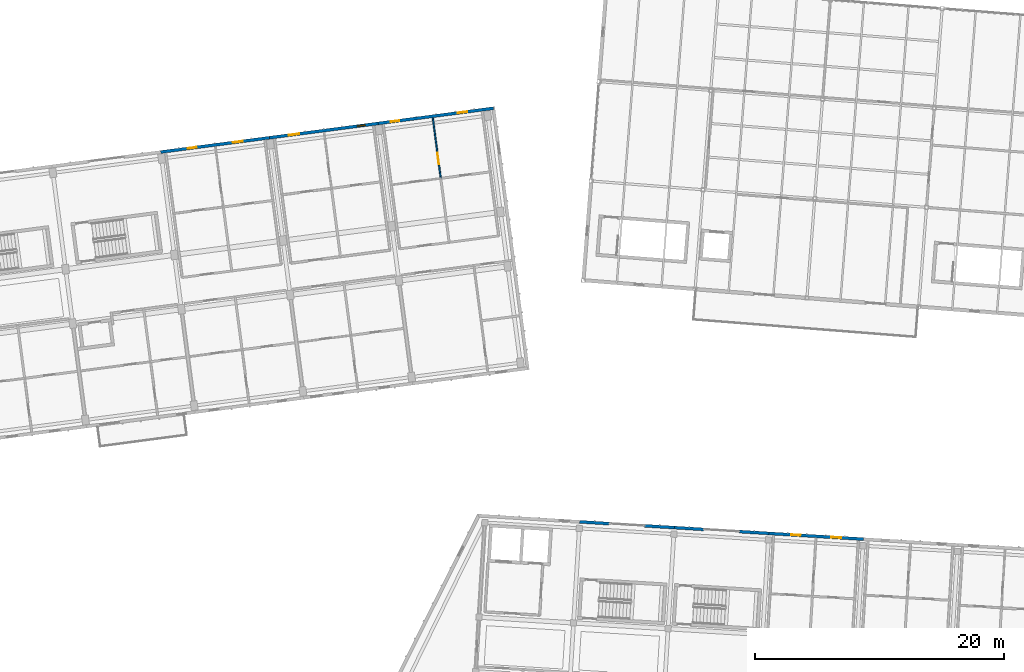
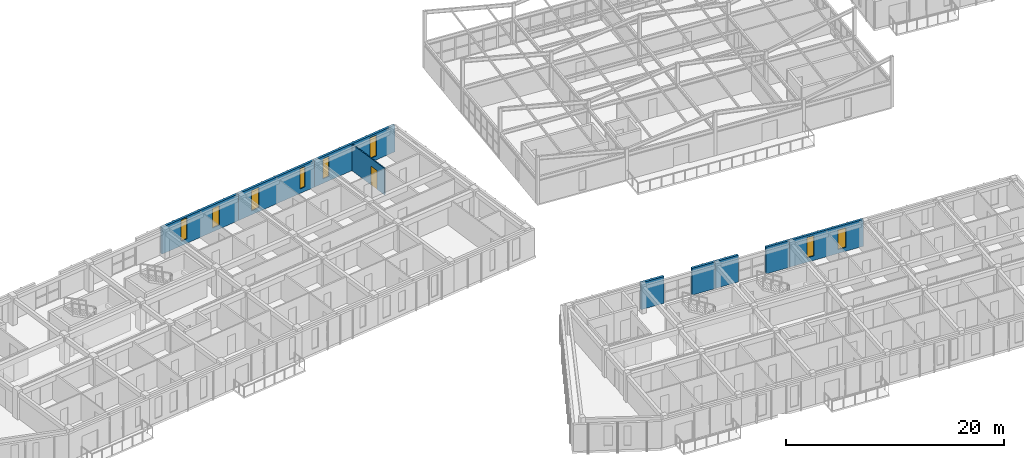
# One storey, part 83 of 127: 9 walls, 8 windows, 1 door, 9 openings.
"""IFC4 building model written with IfcOpenShell, lengths in metres."""

from ifc_helpers import new_model, si_unit, direction, frame, frame_2d, origin, place, context, subcontext, project, spatial, rectangle, extrude, material, layer, layer_set, type_object, element, fill, save


model = new_model("IFC4")

# Units and contexts
model_context = context("Model", 3, precision=1e-05, world=origin(), true_north=direction((0.0, 1.0)))
body_context = subcontext(model_context, "Body", "Model", "MODEL_VIEW")
ifc_project = project(units=[si_unit("LENGTHUNIT", "METRE"), si_unit("AREAUNIT", "SQUARE_METRE"), si_unit("VOLUMEUNIT", "CUBIC_METRE"), si_unit("PLANEANGLEUNIT", "RADIAN"), si_unit("MASSUNIT", "GRAM", prefix="KILO")], contexts=[model_context])

# Site, building, storey
site_placement = place(None, origin())
site = spatial("IfcSite", under=ifc_project, at=site_placement, CompositionType="ELEMENT")
building_placement = place(site_placement, origin())
building = spatial("IfcBuilding", under=site, at=building_placement, Name="Kestramere Prow Commons", CompositionType="ELEMENT")
storey_placement = place(building_placement, frame((0.0, 0.0, 8.39990234375)))
storey = spatial("IfcBuildingStorey", under=building, at=storey_placement, Name="L02", CompositionType="ELEMENT", Elevation=8.39990234375)

# Wall, openings, windows
ifc_material_1 = material(Name="Fluoropolymer Standing-Seam Zinc-Aluminium Cladding", Category="aluminium")
ifc_layer_1 = layer(ifc_material_1, 0.239990234375)
ifc_layer_set_1 = layer_set([ifc_layer_1], Name="Fluoropolymer Standing-Seam Zinc-Aluminium Cladding")
wall_type_1 = type_object("IfcWallType", Name="EW-SEAM-240", PredefinedType="SOLIDWALL", material=ifc_layer_set_1)
wall_1_placement = place(storey_placement, frame((34.695068359375, 95.79541015625, 0.0), z_axis=(0.0, 0.0, 1.0), x_axis=(0.991447967712, 0.130502595073, 0.0)))
wall_1 = element("IfcWall", 1, at=wall_1_placement, inside=storey, type_object=wall_type_1, Name="Block A L02 North Standing-Seam Wall 4", PredefinedType="SOLIDWALL", context=body_context, shape_type="SweptSolid", body=[
    extrude(rectangle(XDim=8.800048828125, YDim=0.239990234375, at=frame_2d((4.39990234375, 0.0))), origin(), (0.0, 0.0, 1.0), 3.0),
])
opening_1_placement = place(wall_1_placement, frame((2.1943359375, 0.0, 0.5)))
opening_1 = element("IfcOpeningElement", 2, at=opening_1_placement, cuts=wall_1, Name="Opening WN-07", PredefinedType="OPENING", context=body_context, shape_type="SweptSolid", body=[
    extrude(rectangle(XDim=0.699951171875, YDim=2.360107421875, at=frame_2d((0.35009765625, 1.18017578125))), frame((0.0, 0.135009765625, 0.0), z_axis=(0.0, -1.0, 0.0), x_axis=(1.0, 0.0, 0.0)), (0.0, 0.0, 1.0), 0.27001953125),
])
opening_2_placement = place(wall_1_placement, frame((5.848876953125, 0.0, 0.43994140625)))
opening_2 = element("IfcOpeningElement", 3, at=opening_2_placement, cuts=wall_1, Name="Opening WN-11", PredefinedType="OPENING", context=body_context, shape_type="SweptSolid", body=[
    extrude(rectangle(XDim=0.780029296875, YDim=2.199951171875, at=frame_2d((0.39013671875, 1.10009765625))), frame((0.0, 0.135009765625, 0.0), z_axis=(0.0, -1.0, 0.0), x_axis=(1.0, 0.0, 0.0)), (0.0, 0.0, 1.0), 0.27001953125),
])
ifc_material_2 = material(Name="Low-E Laminated Double Glazing", Category="glass")
window_type_1 = type_object("IfcWindowType", Name="WN-NAR-700A", PartitioningType="SINGLE_PANEL", PredefinedType="WINDOW", material=ifc_material_2)
window_1_placement = place(opening_1_placement, origin())
window_1 = element("IfcWindow", 4, at=window_1_placement, inside=storey, type_object=window_type_1, Name="WN-A-L02-N-3-0", OverallHeight=2.360107421875, OverallWidth=0.699951171875, PartitioningType="SINGLE_PANEL", PredefinedType="WINDOW", context=body_context, shape_type="SweptSolid", body=[
    extrude(rectangle(XDim=0.699951171875, YDim=2.360107421875, at=frame_2d((0.35009765625, 1.18017578125))), frame((0.0, 0.030029296875, 0.0), z_axis=(0.0, -1.0, 0.0), x_axis=(1.0, 0.0, 0.0)), (0.0, 0.0, 1.0), 0.06005859375),
])
fill(opening_1, window_1)
window_type_2 = type_object("IfcWindowType", Name="WN-NAR-780A", PartitioningType="SINGLE_PANEL", PredefinedType="WINDOW", material=ifc_material_2)
window_2_placement = place(opening_2_placement, origin())
window_2 = element("IfcWindow", 5, at=window_2_placement, inside=storey, type_object=window_type_2, Name="WN-A-L02-N-3-1", OverallHeight=2.199951171875, OverallWidth=0.780029296875, PartitioningType="SINGLE_PANEL", PredefinedType="WINDOW", context=body_context, shape_type="SweptSolid", body=[
    extrude(rectangle(XDim=0.780029296875, YDim=2.199951171875, at=frame_2d((0.39013671875, 1.10009765625))), frame((0.0, 0.030029296875, 0.0), z_axis=(0.0, -1.0, 0.0), x_axis=(1.0, 0.0, 0.0)), (0.0, 0.0, 1.0), 0.06005859375),
])
fill(opening_2, window_2)

wall_2_placement = place(storey_placement, frame((43.419921875, 96.94384765625, 0.0), z_axis=(0.0, 0.0, 1.0), x_axis=(0.991443905089, 0.130533455715, 0.0)))
wall_2 = element("IfcWall", 6, at=wall_2_placement, inside=storey, type_object=wall_type_1, Name="Block A L02 North Standing-Seam Wall 5", PredefinedType="SOLIDWALL", context=body_context, shape_type="SweptSolid", body=[
    extrude(rectangle(XDim=8.7998046875, YDim=0.239990234375, at=frame_2d((4.39990234375, 0.0))), origin(), (0.0, 0.0, 1.0), 3.0),
])
opening_3_placement = place(wall_2_placement, frame((1.552001953125, 0.0, 0.43994140625)))
opening_3 = element("IfcOpeningElement", 7, at=opening_3_placement, cuts=wall_2, Name="Opening WN-14", PredefinedType="OPENING", context=body_context, shape_type="SweptSolid", body=[
    extrude(rectangle(XDim=0.840087890625, YDim=2.280029296875, at=frame_2d((0.419921875, 1.14013671875))), frame((0.0, 0.135009765625, 0.0), z_axis=(0.0, -1.0, 0.0), x_axis=(1.0, 0.0, 0.0)), (0.0, 0.0, 1.0), 0.27001953125),
])
opening_4_placement = place(wall_2_placement, frame((7.11279296875, 0.0, 0.5)))
opening_4 = element("IfcOpeningElement", 8, at=opening_4_placement, cuts=wall_2, Name="Opening WN-03", PredefinedType="OPENING", context=body_context, shape_type="SweptSolid", body=[
    extrude(rectangle(XDim=0.6201171875, YDim=2.280029296875, at=frame_2d((0.31005859375, 1.14013671875))), frame((0.0, 0.135009765625, 0.0), z_axis=(0.0, -1.0, 0.0), x_axis=(1.0, 0.0, 0.0)), (0.0, 0.0, 1.0), 0.27001953125),
])
window_type_3 = type_object("IfcWindowType", Name="WN-NAR-620A", PartitioningType="SINGLE_PANEL", PredefinedType="WINDOW", material=ifc_material_2)
window_3_placement = place(opening_4_placement, origin())
window_3 = element("IfcWindow", 9, at=window_3_placement, inside=storey, type_object=window_type_3, Name="WN-A-L02-N-4-1", OverallHeight=2.280029296875, OverallWidth=0.6201171875, PartitioningType="SINGLE_PANEL", PredefinedType="WINDOW", context=body_context, shape_type="SweptSolid", body=[
    extrude(rectangle(XDim=0.6201171875, YDim=2.280029296875, at=frame_2d((0.31005859375, 1.14013671875))), frame((0.0, 0.030029296875, 0.0), z_axis=(0.0, -1.0, 0.0), x_axis=(1.0, 0.0, 0.0)), (0.0, 0.0, 1.0), 0.06005859375),
])
fill(opening_4, window_3)
window_type_4 = type_object("IfcWindowType", Name="WN-NAR-840A", PartitioningType="DOUBLE_PANEL_VERTICAL", PredefinedType="WINDOW", material=ifc_material_2)
window_4_placement = place(opening_3_placement, origin())
window_4 = element("IfcWindow", 10, at=window_4_placement, inside=storey, type_object=window_type_4, Name="WN-A-L02-N-4-0", OverallHeight=2.280029296875, OverallWidth=0.840087890625, PartitioningType="SINGLE_PANEL", PredefinedType="WINDOW", context=body_context, shape_type="SweptSolid", body=[
    extrude(rectangle(XDim=0.840087890625, YDim=2.280029296875, at=frame_2d((0.419921875, 1.14013671875))), frame((0.0, 0.030029296875, 0.0), z_axis=(0.0, -1.0, 0.0), x_axis=(1.0, 0.0, 0.0)), (0.0, 0.0, 1.0), 0.06005859375),
])
fill(opening_3, window_4)

wall_3_placement = place(storey_placement, frame((52.14453125, 98.092529296875, 0.0), z_axis=(0.0, 0.0, 1.0), x_axis=(0.991442885224, 0.130541201693, 0.0)))
wall_3 = element("IfcWall", 11, at=wall_3_placement, inside=storey, type_object=wall_type_1, Name="Block A L02 North Standing-Seam Wall 6", PredefinedType="SOLIDWALL", context=body_context, shape_type="SweptSolid", body=[
    extrude(rectangle(XDim=9.324951171875, YDim=0.239990234375, at=frame_2d((4.66259765625, 0.0))), origin(), (0.0, 0.0, 1.0), 3.0),
])
opening_5_placement = place(wall_3_placement, frame((1.0126953125, 0.0, 0.5)))
opening_5 = element("IfcOpeningElement", 12, at=opening_5_placement, cuts=wall_3, Name="Opening WN-06", PredefinedType="OPENING", context=body_context, shape_type="SweptSolid", body=[
    extrude(rectangle(XDim=0.679931640625, YDim=2.239990234375, at=frame_2d((0.33984375, 1.1201171875))), frame((0.0, 0.135009765625, 0.0), z_axis=(0.0, -1.0, 0.0), x_axis=(1.0, 0.0, 0.0)), (0.0, 0.0, 1.0), 0.27001953125),
])
opening_6_placement = place(wall_3_placement, frame((6.447998046875, 0.0, 0.43994140625)))
opening_6 = element("IfcOpeningElement", 13, at=opening_6_placement, cuts=wall_3, Name="Opening WN-10", PredefinedType="OPENING", context=body_context, shape_type="SweptSolid", body=[
    extrude(rectangle(XDim=0.760009765625, YDim=2.340087890625, at=frame_2d((0.3798828125, 1.169921875))), frame((0.0, 0.135009765625, 0.0), z_axis=(0.0, -1.0, 0.0), x_axis=(1.0, 0.0, 0.0)), (0.0, 0.0, 1.0), 0.27001953125),
])
window_type_5 = type_object("IfcWindowType", Name="WN-NAR-680A", PartitioningType="SINGLE_PANEL", PredefinedType="WINDOW", material=ifc_material_2)
window_5_placement = place(opening_5_placement, origin())
window_5 = element("IfcWindow", 14, at=window_5_placement, inside=storey, type_object=window_type_5, Name="WN-A-L02-N-5-0", OverallHeight=2.239990234375, OverallWidth=0.679931640625, PartitioningType="SINGLE_PANEL", PredefinedType="WINDOW", context=body_context, shape_type="SweptSolid", body=[
    extrude(rectangle(XDim=0.679931640625, YDim=2.239990234375, at=frame_2d((0.33984375, 1.1201171875))), frame((0.0, 0.030029296875, 0.0), z_axis=(0.0, -1.0, 0.0), x_axis=(1.0, 0.0, 0.0)), (0.0, 0.0, 1.0), 0.06005859375),
])
fill(opening_5, window_5)
window_type_6 = type_object("IfcWindowType", Name="WN-NAR-760A", PartitioningType="SINGLE_PANEL", PredefinedType="WINDOW", material=ifc_material_2)
window_6_placement = place(opening_6_placement, origin())
window_6 = element("IfcWindow", 15, at=window_6_placement, inside=storey, type_object=window_type_6, Name="WN-A-L02-N-5-1", OverallHeight=2.340087890625, OverallWidth=0.760009765625, PartitioningType="SINGLE_PANEL", PredefinedType="WINDOW", context=body_context, shape_type="SweptSolid", body=[
    extrude(rectangle(XDim=0.760009765625, YDim=2.340087890625, at=frame_2d((0.3798828125, 1.169921875))), frame((0.0, 0.030029296875, 0.0), z_axis=(0.0, -1.0, 0.0), x_axis=(1.0, 0.0, 0.0)), (0.0, 0.0, 1.0), 0.06005859375),
])
fill(opening_6, window_6)

# Walls
wall_4_placement = place(storey_placement, frame((68.314453125, 66.12353515625, 0.0), z_axis=(0.0, 0.0, 1.0), x_axis=(0.998134103342, -0.061059902923, 0.0)))
element("IfcWall", 16, at=wall_4_placement, inside=storey, type_object=wall_type_1, Name="Block C L02 North Standing-Seam Pier 2L", PredefinedType="SOLIDWALL", context=body_context, shape_type="SweptSolid", body=[
    extrude(rectangle(XDim=2.375, YDim=0.239990234375, at=frame_2d((1.1875, 0.0))), origin(), (0.0, 0.0, 1.0), 3.0),
])
wall_5_placement = place(storey_placement, frame((73.52978515625, 65.804443359375, 0.0), z_axis=(0.0, 0.0, 1.0), x_axis=(0.998133720034, -0.061066168473, 0.0)))
element("IfcWall", 17, at=wall_5_placement, inside=storey, type_object=wall_type_1, Name="Block C L02 North Standing-Seam Pier 2R", PredefinedType="SOLIDWALL", context=body_context, shape_type="SweptSolid", body=[
    extrude(rectangle(XDim=2.374755859375, YDim=0.239990234375, at=frame_2d((1.1875, 0.0))), origin(), (0.0, 0.0, 1.0), 3.0),
])
for number, where, z_axis, x_axis, name in (
    (18, (75.900146484375, 65.659423828125, 0.0), (0.0, 0.0, 1.0), (0.998140363035, -0.06095749076, 0.0), "Block C L02 North Standing-Seam Pier 3L"),
    (19, (81.115478515625, 65.340576171875, 0.0), (0.0, 0.0, 1.0), (0.998134103342, -0.061059902923, 0.0), "Block C L02 North Standing-Seam Pier 3R"),
):
    element("IfcWall", number, at=place(storey_placement, frame(where, z_axis=z_axis, x_axis=x_axis)), inside=storey, type_object=wall_type_1, Name=name, PredefinedType="SOLIDWALL", context=body_context, shape_type="SweptSolid", body=[
        extrude(rectangle(XDim=2.375, YDim=0.239990234375, at=frame_2d((1.1875, 0.0))), origin(), (0.0, 0.0, 1.0), 3.0),
    ])

# Wall, openings, windows
wall_6_placement = place(storey_placement, frame((83.486083984375, 65.195556640625, 0.0), z_axis=(0.0, 0.0, 1.0), x_axis=(0.998135669243, -0.061034300063, 0.0)))
wall_6 = element("IfcWall", 20, at=wall_6_placement, inside=storey, type_object=wall_type_1, Name="Block C L02 North Standing-Seam Wall 4", PredefinedType="SOLIDWALL", context=body_context, shape_type="SweptSolid", body=[
    extrude(rectangle(XDim=7.60009765625, YDim=0.239990234375, at=frame_2d((3.800048828125, 0.0))), origin(), (0.0, 0.0, 1.0), 3.0),
])
opening_7_placement = place(wall_6_placement, frame((1.807373046875, 0.0, 0.5)))
opening_7 = element("IfcOpeningElement", 21, at=opening_7_placement, cuts=wall_6, Name="Opening WN-09", PredefinedType="OPENING", context=body_context, shape_type="SweptSolid", body=[
    extrude(rectangle(XDim=0.739990234375, YDim=2.260009765625, at=frame_2d((0.3701171875, 1.1298828125))), frame((0.0, 0.135009765625, 0.0), z_axis=(0.0, -1.0, 0.0), x_axis=(1.0, 0.0, 0.0)), (0.0, 0.0, 1.0), 0.27001953125),
])
opening_8_placement = place(wall_6_placement, frame((5.005615234375, 0.0, 0.43994140625)))
opening_8 = element("IfcOpeningElement", 22, at=opening_8_placement, cuts=wall_6, Name="Opening WN-13", PredefinedType="OPENING", context=body_context, shape_type="SweptSolid", body=[
    extrude(rectangle(XDim=0.820068359375, YDim=2.179931640625, at=frame_2d((0.41015625, 1.08984375))), frame((0.0, 0.135009765625, 0.0), z_axis=(0.0, -1.0, 0.0), x_axis=(1.0, 0.0, 0.0)), (0.0, 0.0, 1.0), 0.27001953125),
])
window_type_7 = type_object("IfcWindowType", Name="WN-NAR-740A", PartitioningType="SINGLE_PANEL", PredefinedType="WINDOW", material=ifc_material_2)
window_7_placement = place(opening_7_placement, origin())
window_7 = element("IfcWindow", 23, at=window_7_placement, inside=storey, type_object=window_type_7, Name="WN-C-L02-N-3-0", OverallHeight=2.260009765625, OverallWidth=0.739990234375, PartitioningType="SINGLE_PANEL", PredefinedType="WINDOW", context=body_context, shape_type="SweptSolid", body=[
    extrude(rectangle(XDim=0.739990234375, YDim=2.260009765625, at=frame_2d((0.3701171875, 1.1298828125))), frame((0.0, 0.030029296875, 0.0), z_axis=(0.0, -1.0, 0.0), x_axis=(1.0, 0.0, 0.0)), (0.0, 0.0, 1.0), 0.06005859375),
])
fill(opening_7, window_7)
window_type_8 = type_object("IfcWindowType", Name="WN-NAR-820A", PartitioningType="DOUBLE_PANEL_VERTICAL", PredefinedType="WINDOW", material=ifc_material_2)
window_8_placement = place(opening_8_placement, origin())
window_8 = element("IfcWindow", 24, at=window_8_placement, inside=storey, type_object=window_type_8, Name="WN-C-L02-N-3-1", OverallHeight=2.179931640625, OverallWidth=0.820068359375, PartitioningType="SINGLE_PANEL", PredefinedType="WINDOW", context=body_context, shape_type="SweptSolid", body=[
    extrude(rectangle(XDim=0.820068359375, YDim=2.179931640625, at=frame_2d((0.41015625, 1.08984375))), frame((0.0, 0.030029296875, 0.0), z_axis=(0.0, -1.0, 0.0), x_axis=(1.0, 0.0, 0.0)), (0.0, 0.0, 1.0), 0.06005859375),
])
fill(opening_8, window_8)

# Wall, opening, door
ifc_material_3 = material(Name="Gypsum Acoustic Drywall")
ifc_layer_2 = layer(ifc_material_3, 0.110107421875)
ifc_layer_set_2 = layer_set([ifc_layer_2], Name="Gypsum Acoustic Drywall")
wall_type_2 = type_object("IfcWallType", Name="W-PART-110", PredefinedType="PARTITIONING", material=ifc_layer_set_2)
wall_7_placement = place(storey_placement, frame((57.162841796875, 93.684814453125, 0.0), z_axis=(0.0, 0.0, 1.0), x_axis=(-0.130557831536, 0.991440695465, 0.0)))
wall_7 = element("IfcWall", 25, at=wall_7_placement, inside=storey, type_object=wall_type_2, Name="Interior Partition PW-A-L02-LB-N5", PredefinedType="PARTITIONING", context=body_context, shape_type="SweptSolid", body=[
    extrude(rectangle(XDim=4.889892578125, YDim=0.110107421875, at=frame_2d((2.44482421875, 0.0))), origin(), (0.0, 0.0, 1.0), 2.97021484375),
])
opening_9_placement = place(wall_7_placement, frame((1.14990234375, 0.0, 0.0)))
opening_9 = element("IfcOpeningElement", 26, at=opening_9_placement, cuts=wall_7, Name="Opening ID-08", PredefinedType="OPENING", context=body_context, shape_type="SweptSolid", body=[
    extrude(rectangle(XDim=0.89990234375, YDim=2.10009765625, at=frame_2d((0.449951171875, 1.050048828125))), frame((0.0, 0.070068359375, 0.0), z_axis=(0.0, -1.0, 0.0), x_axis=(1.0, 0.0, 0.0)), (0.0, 0.0, 1.0), 0.14013671875),
])
ifc_material_4 = material(Name="Engineered Timber Flush Door", Category="wood")
door_type = type_object("IfcDoorType", Name="D-RM-01", OperationType="NOTDEFINED", PredefinedType="DOOR", material=ifc_material_4)
door_placement = place(opening_9_placement, origin())
door = element("IfcDoor", 27, at=door_placement, inside=storey, type_object=door_type, Name="Interior Door DR-A-L02-BED-N5", OperationType="SINGLE_SWING_LEFT", OverallHeight=2.10009765625, OverallWidth=0.89990234375, PredefinedType="DOOR", context=body_context, shape_type="SweptSolid", body=[
    extrude(rectangle(XDim=0.89990234375, YDim=2.10009765625, at=frame_2d((0.449951171875, 1.050048828125))), frame((0.0, 0.02490234375, 0.0), z_axis=(0.0, -1.0, 0.0), x_axis=(1.0, 0.0, 0.0)), (0.0, 0.0, 1.0), 0.050048828125),
])
fill(opening_9, door)

save(model, "model.ifc")
